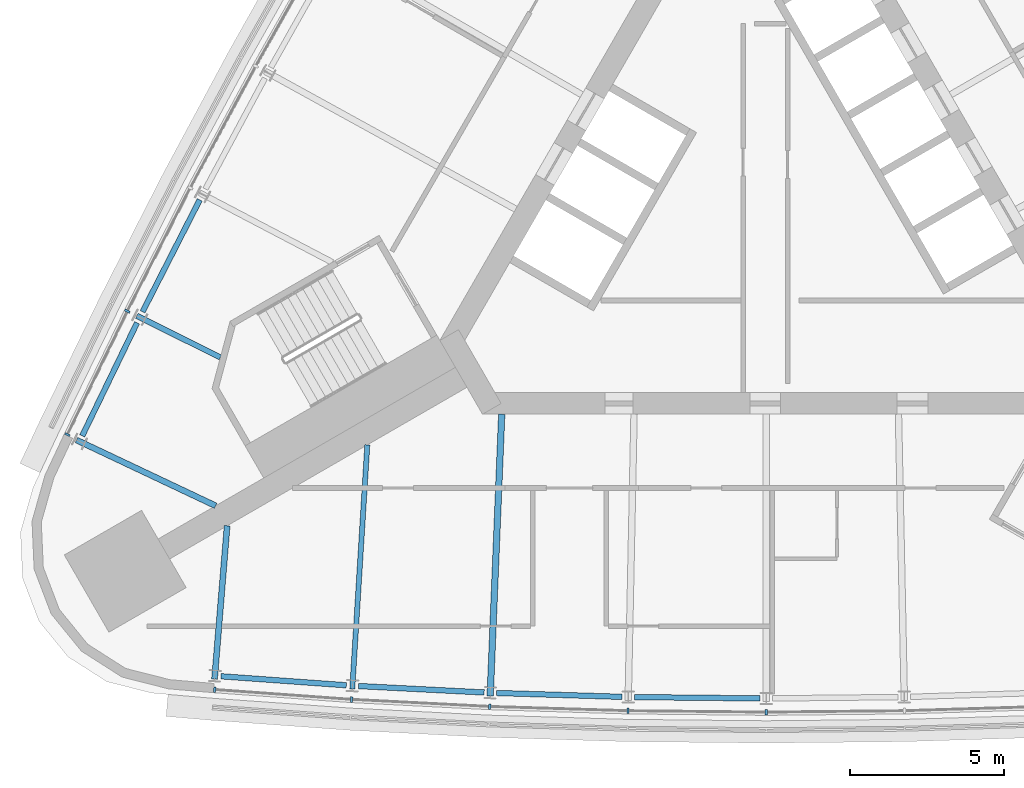
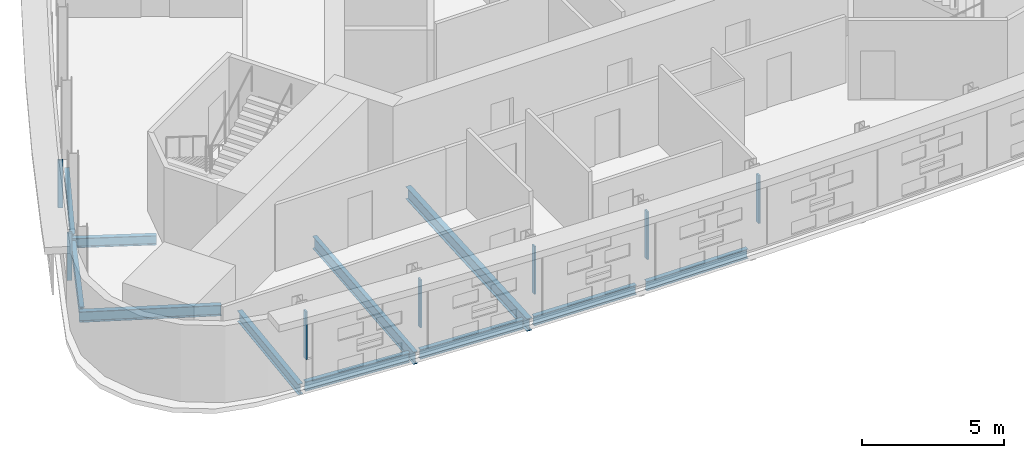
# One storey, part 2 of 13: 11 beams, 7 members, 2 elements without a shape of their own.
"""IFC4 building model written with IfcOpenShell, lengths in metres."""

from ifc_helpers import new_model, si_unit, direction, frame, origin, origin_2d, place, context, subcontext, project, spatial, rectangle, i_section, extrude, material, material_profile, profile_set, type_object, element, aggregate, save


model = new_model("IFC4")

# Units and contexts
model_context = context("Model", 3, precision=1e-05, world=origin(), true_north=direction((0.0, 1.0)))
body_context = subcontext(model_context, "Body", "Model", "MODEL_VIEW")
ifc_project = project(units=[si_unit("LENGTHUNIT", "METRE"), si_unit("AREAUNIT", "SQUARE_METRE"), si_unit("VOLUMEUNIT", "CUBIC_METRE"), si_unit("PLANEANGLEUNIT", "RADIAN"), si_unit("MASSUNIT", "GRAM", prefix="KILO")], contexts=[model_context])

# Site, building, storey
site_placement = place(None, origin())
site = spatial("IfcSite", under=ifc_project, at=site_placement, CompositionType="ELEMENT")
building_placement = place(site_placement, origin())
building = spatial("IfcBuilding", under=site, at=building_placement, Name="Noor Cloister Tower", CompositionType="ELEMENT")
storey_placement = place(building_placement, frame((0.0, 0.0, 140.10009765625)))
storey = spatial("IfcBuildingStorey", under=building, at=storey_placement, Name="L35", CompositionType="ELEMENT", Elevation=140.10009765625)

# Curtain wall, members
ifc_material_1 = material(Name="Aluminium 6063-T6 anodised", Category="aluminium")
curtain_wall_type = type_object("IfcCurtainWallType", Name="Ribbon curtain wall, upper tower CW5", PredefinedType="NOTDEFINED", material=ifc_material_1)
curtain_wall_1_placement = place(storey_placement, origin())
curtain_wall_1 = element("IfcCurtainWall", 1, at=curtain_wall_1_placement, inside=storey, type_object=curtain_wall_type, Name="CW5 L35 NW run 1", PredefinedType="NOTDEFINED")
ifc_material_2 = material(Name="Aluminium 6063-T6 anodised", Category="aluminium")
ifc_material_profile_1 = material_profile(ifc_material_2, rectangle(XDim=0.179931640625, YDim=0.070068359375, at=origin_2d()), Name="180 x 70 mullion")
ifc_profile_set_1 = profile_set([ifc_material_profile_1], Name="Aluminium 6063-T6 anodised")
member_type = type_object("IfcMemberType", Name="Mullion CW5 70 x 180", PredefinedType="MULLION", material=ifc_profile_set_1)
member_1_placement = place(storey_placement, frame((-20.77880859375, -3.57470703125, 1.099853515625), z_axis=(0.0, 0.0, 1.0), x_axis=(0.895123310211, -0.445818639714, 0.0)))
member_1 = element("IfcMember", 2, at=member_1_placement, type_object=member_type, Name="CW5 mullion 8", PredefinedType="MULLION", context=body_context, shape_type="SweptSolid", body=[
    extrude(rectangle(XDim=0.179931640625, YDim=0.070068359375, at=origin_2d()), origin(), (0.0, 0.0, 1.0), 2.050048828125),
])
member_2_placement = place(storey_placement, frame((-22.72802734375, -7.5908203125, 1.099853515625), z_axis=(0.0, 0.0, 1.0), x_axis=(0.899646590882, -0.436618840081, 0.0)))
member_2 = element("IfcMember", 3, at=member_2_placement, type_object=member_type, Name="CW5 mullion 9", PredefinedType="MULLION", context=body_context, shape_type="SweptSolid", body=[
    extrude(rectangle(XDim=0.179931640625, YDim=0.070068359375, at=origin_2d()), origin(), (0.0, 0.0, 1.0), 2.050048828125),
])
aggregate(curtain_wall_1, [member_1, member_2])

curtain_wall_2_placement = place(storey_placement, origin())
curtain_wall_2 = element("IfcCurtainWall", 4, at=curtain_wall_2_placement, inside=storey, type_object=curtain_wall_type, Name="CW5 L35 S run 2", PredefinedType="NOTDEFINED")
member_3_placement = place(storey_placement, frame((-17.937744140625, -15.8876953125, 1.099853515625), z_axis=(0.0, 0.0, 1.0), x_axis=(0.07170028816, 0.997426222173, 0.0)))
member_3 = element("IfcMember", 5, at=member_3_placement, type_object=member_type, Name="CW5 mullion 1", PredefinedType="MULLION", context=body_context, shape_type="SweptSolid", body=[
    extrude(rectangle(XDim=0.179931640625, YDim=0.070068359375, at=origin_2d()), origin(), (0.0, 0.0, 1.0), 2.050048828125),
])
member_4_placement = place(storey_placement, frame((-13.4853515625, -16.20751953125, 1.099853515625), z_axis=(0.0, 0.0, 1.0), x_axis=(0.061471387632, 0.99810884602, 0.0)))
member_4 = element("IfcMember", 6, at=member_4_placement, type_object=member_type, Name="CW5 mullion 2", PredefinedType="MULLION", context=body_context, shape_type="SweptSolid", body=[
    extrude(rectangle(XDim=0.179931640625, YDim=0.070068359375, at=origin_2d()), origin(), (0.0, 0.0, 1.0), 2.050048828125),
])
member_5_placement = place(storey_placement, frame((-8.993408203125, -16.43798828125, 1.099853515625), z_axis=(0.0, 0.0, 1.0), x_axis=(0.040995281015, 0.999159340113, 0.0)))
member_5 = element("IfcMember", 7, at=member_5_placement, type_object=member_type, Name="CW5 mullion 3", PredefinedType="MULLION", context=body_context, shape_type="SweptSolid", body=[
    extrude(rectangle(XDim=0.179931640625, YDim=0.070068359375, at=origin_2d()), origin(), (0.0, 0.0, 1.0), 2.050048828125),
])
member_6_placement = place(storey_placement, frame((-4.49755859375, -16.576416015625, 1.099853515625), z_axis=(0.0, 0.0, 1.0), x_axis=(0.020501958477, 0.99978981276, 0.0)))
member_6 = element("IfcMember", 8, at=member_6_placement, type_object=member_type, Name="CW5 mullion 4", PredefinedType="MULLION", context=body_context, shape_type="SweptSolid", body=[
    extrude(rectangle(XDim=0.179931640625, YDim=0.070068359375, at=origin_2d()), origin(), (0.0, 0.0, 1.0), 2.050048828125),
])
member_7_placement = place(storey_placement, frame((0.0, -16.62255859375, 1.099853515625), z_axis=(0.0, 0.0, 1.0), x_axis=(0.0, 1.0, 0.0)))
member_7 = element("IfcMember", 9, at=member_7_placement, type_object=member_type, Name="CW5 mullion 5", PredefinedType="MULLION", context=body_context, shape_type="SweptSolid", body=[
    extrude(rectangle(XDim=0.179931640625, YDim=0.070068359375, at=origin_2d()), origin(), (0.0, 0.0, 1.0), 2.050048828125),
])
aggregate(curtain_wall_2, [member_3, member_4, member_5, member_6, member_7])

# Beams
ifc_material_3 = material(Name="Steel ASTM A992 Gr 50", Category="steel")
ifc_material_profile_2 = material_profile(ifc_material_3, i_section(OverallWidth=0.177978515625, OverallDepth=0.406005859375, WebThickness=0.0078125, FlangeThickness=0.0126953125, FilletRadius=0.01025390625, at=origin_2d()), Name="W410x60")
ifc_profile_set_2 = profile_set([ifc_material_profile_2], Name="Steel ASTM A992 Gr 50")
beam_type_1 = type_object("IfcBeamType", Name="Radial beam W410x60", PredefinedType="BEAM", material=ifc_profile_set_2)
beam_1_placement = place(storey_placement, frame((-20.471923828125, -3.727783203125, -0.403076171875), z_axis=(0.895133560112, -0.445798059172, 0.0), x_axis=(0.445798059172, 0.895133560112, 0.0)))
element("IfcBeam", 10, at=beam_1_placement, inside=storey, type_object=beam_type_1, Name="Radial beam NW 08 L35", PredefinedType="BEAM", context=body_context, shape_type="SweptSolid", body=[
    extrude(i_section(OverallWidth=0.177978515625, OverallDepth=0.406005859375, WebThickness=0.0078125, FlangeThickness=0.0126953125, FilletRadius=0.01025390625, at=origin_2d()), origin(), (0.0, 0.0, 1.0), 3.03662109375),
])
ifc_material_4 = material(Name="Steel ASTM A992 Gr 50", Category="steel")
ifc_material_profile_3 = material_profile(ifc_material_4, i_section(OverallWidth=0.19091796875, OverallDepth=0.45703125, WebThickness=0.009033203125, FlangeThickness=0.014404296875, FilletRadius=0.01025390625, at=origin_2d()), Name="W460x74")
ifc_profile_set_3 = profile_set([ifc_material_profile_3], Name="Steel ASTM A992 Gr 50")
beam_type_2 = type_object("IfcBeamType", Name="Radial beam W460x74", PredefinedType="BEAM", material=ifc_profile_set_3)
for number, where, z_axis, x_axis, name in (
    (11, (-22.4326171875, -7.767822265625, -0.4287109375), (0.90406541137, -0.427394117841, 0.0), (0.427394117841, 0.90406541137, 0.0), "Radial beam NW 09 L35"),
    (12, (-17.943603515625, -15.543212890625, -0.4287109375), (0.081918876105, 0.996639000711, 0.0), (-0.996639000711, 0.081918876105, 0.0), "Radial beam S 01 L35"),
):
    element("IfcBeam", number, at=place(storey_placement, frame(where, z_axis=z_axis, x_axis=x_axis)), inside=storey, type_object=beam_type_2, Name=name, PredefinedType="BEAM", context=body_context, shape_type="SweptSolid", body=[
        extrude(i_section(OverallWidth=0.19091796875, OverallDepth=0.45703125, WebThickness=0.009033203125, FlangeThickness=0.014404296875, FilletRadius=0.01025390625, at=origin_2d()), origin(), (0.0, 0.0, 1.0), 5.00390625),
    ])
ifc_material_5 = material(Name="Steel ASTM A992 Gr 50", Category="steel")
ifc_material_profile_4 = material_profile(ifc_material_5, i_section(OverallWidth=0.166015625, OverallDepth=0.528076171875, WebThickness=0.009765625, FlangeThickness=0.013671875, FilletRadius=0.0126953125, at=origin_2d()), Name="W530x74")
ifc_profile_set_4 = profile_set([ifc_material_profile_4], Name="Steel ASTM A992 Gr 50")
beam_type_3 = type_object("IfcBeamType", Name="Radial beam W530x74", PredefinedType="BEAM", material=ifc_profile_set_4)
beam_2_placement = place(storey_placement, frame((-13.46435546875, -15.865234375, -0.464111328125), z_axis=(0.061495638374, 0.998107352173, 0.0), x_axis=(-0.998107352173, 0.061495638374, 0.0)))
element("IfcBeam", 13, at=beam_2_placement, inside=storey, type_object=beam_type_3, Name="Radial beam S 02 L35", PredefinedType="BEAM", context=body_context, shape_type="SweptSolid", body=[
    extrude(i_section(OverallWidth=0.166015625, OverallDepth=0.528076171875, WebThickness=0.009765625, FlangeThickness=0.013671875, FilletRadius=0.0126953125, at=origin_2d()), origin(), (0.0, 0.0, 1.0), 7.9560546875),
])
ifc_material_6 = material(Name="Steel ASTM A992 Gr 50", Category="steel")
ifc_material_profile_5 = material_profile(ifc_material_6, i_section(OverallWidth=0.208984375, OverallDepth=0.532958984375, WebThickness=0.01025390625, FlangeThickness=0.015625, FilletRadius=0.0126953125, at=origin_2d()), Name="W530x92")
ifc_profile_set_5 = profile_set([ifc_material_profile_5], Name="Steel ASTM A992 Gr 50")
beam_type_4 = type_object("IfcBeamType", Name="Radial beam W530x92", PredefinedType="BEAM", material=ifc_profile_set_5)
beam_3_placement = place(storey_placement, frame((-8.979248046875, -16.095458984375, -0.466552734375), z_axis=(0.040978626219, 0.999160023316, 0.0), x_axis=(-0.999160023316, 0.040978626219, 0.0)))
element("IfcBeam", 14, at=beam_3_placement, inside=storey, type_object=beam_type_4, Name="Radial beam S 03 L35", PredefinedType="BEAM", context=body_context, shape_type="SweptSolid", body=[
    extrude(i_section(OverallWidth=0.208984375, OverallDepth=0.532958984375, WebThickness=0.01025390625, FlangeThickness=0.015625, FilletRadius=0.0126953125, at=origin_2d()), origin(), (0.0, 0.0, 1.0), 9.175048828125),
])
ifc_material_7 = material(Name="Steel ASTM A992 Gr 50", Category="steel")
ifc_material_profile_6 = material_profile(ifc_material_7, i_section(OverallWidth=0.177978515625, OverallDepth=0.406005859375, WebThickness=0.0078125, FlangeThickness=0.0126953125, FilletRadius=0.01025390625, at=origin_2d()), Name="W410x60")
ifc_profile_set_6 = profile_set([ifc_material_profile_6], Name="Steel ASTM A992 Gr 50")
beam_type_5 = type_object("IfcBeamType", Name="Spandrel beam W410x60", PredefinedType="SPANDREL", material=ifc_profile_set_6)
beam_4_placement = place(storey_placement, frame((-18.424560546875, 0.0439453125, -0.403076171875), z_axis=(-0.455004823402, -0.890488972801, 0.0), x_axis=(0.890488972801, -0.455004823402, 0.0)))
element("IfcBeam", 15, at=beam_4_placement, inside=storey, type_object=beam_type_5, Name="Spandrel beam NW 07 L35", PredefinedType="SPANDREL", context=body_context, shape_type="SweptSolid", body=[
    extrude(i_section(OverallWidth=0.177978515625, OverallDepth=0.406005859375, WebThickness=0.0078125, FlangeThickness=0.0126953125, FilletRadius=0.01025390625, at=origin_2d()), origin(), (0.0, 0.0, 1.0), 4.089599609375),
])
beam_5_placement = place(storey_placement, frame((-20.463134765625, -3.954833984375, -0.403076171875), z_axis=(-0.436604481066, -0.899653559495, 0.0), x_axis=(0.899653559495, -0.436604481066, 0.0)))
element("IfcBeam", 16, at=beam_5_placement, inside=storey, type_object=beam_type_5, Name="Spandrel beam NW 08 L35", PredefinedType="SPANDREL", context=body_context, shape_type="SweptSolid", body=[
    extrude(i_section(OverallWidth=0.177978515625, OverallDepth=0.406005859375, WebThickness=0.0078125, FlangeThickness=0.0126953125, FilletRadius=0.01025390625, at=origin_2d()), origin(), (0.0, 0.0, 1.0), 4.08984375),
])
beam_6_placement = place(storey_placement, frame((-17.73583984375, -15.450927734375, -0.403076171875), z_axis=(0.997426476939, -0.071696744003, 0.0), x_axis=(0.071696744003, 0.997426476939, 0.0)))
element("IfcBeam", 17, at=beam_6_placement, inside=storey, type_object=beam_type_5, Name="Spandrel beam S 01 L35", PredefinedType="SPANDREL", context=body_context, shape_type="SweptSolid", body=[
    extrude(i_section(OverallWidth=0.177978515625, OverallDepth=0.406005859375, WebThickness=0.0078125, FlangeThickness=0.0126953125, FilletRadius=0.01025390625, at=origin_2d()), origin(), (0.0, 0.0, 1.0), 4.089599609375),
])
for number, where, z_axis, x_axis, name in (
    (18, (-13.258544921875, -15.768798828125, -0.403076171875), (0.998687506896, -0.051217805195, 0.0), (0.051217805195, 0.998687506896, 0.0), "Spandrel beam S 02 L35"),
    (19, (-8.775634765625, -15.99462890625, -0.403076171875), (0.99952733001, -0.030742748146, 0.0), (0.030742748146, 0.99952733001, 0.0), "Spandrel beam S 03 L35"),
):
    element("IfcBeam", number, at=place(storey_placement, frame(where, z_axis=z_axis, x_axis=x_axis)), inside=storey, type_object=beam_type_5, Name=name, PredefinedType="SPANDREL", context=body_context, shape_type="SweptSolid", body=[
        extrude(i_section(OverallWidth=0.177978515625, OverallDepth=0.406005859375, WebThickness=0.0078125, FlangeThickness=0.0126953125, FilletRadius=0.01025390625, at=origin_2d()), origin(), (0.0, 0.0, 1.0), 4.08984375),
    ])
beam_7_placement = place(storey_placement, frame((-4.288818359375, -16.128662109375, -0.403076171875), z_axis=(0.99994789269, -0.010208423263, 0.0), x_axis=(0.010208423263, 0.99994789269, 0.0)))
element("IfcBeam", 20, at=beam_7_placement, inside=storey, type_object=beam_type_5, Name="Spandrel beam S 04 L35", PredefinedType="SPANDREL", context=body_context, shape_type="SweptSolid", body=[
    extrude(i_section(OverallWidth=0.177978515625, OverallDepth=0.406005859375, WebThickness=0.0078125, FlangeThickness=0.0126953125, FilletRadius=0.01025390625, at=origin_2d()), origin(), (0.0, 0.0, 1.0), 4.089599609375),
])

save(model, "model.ifc")
